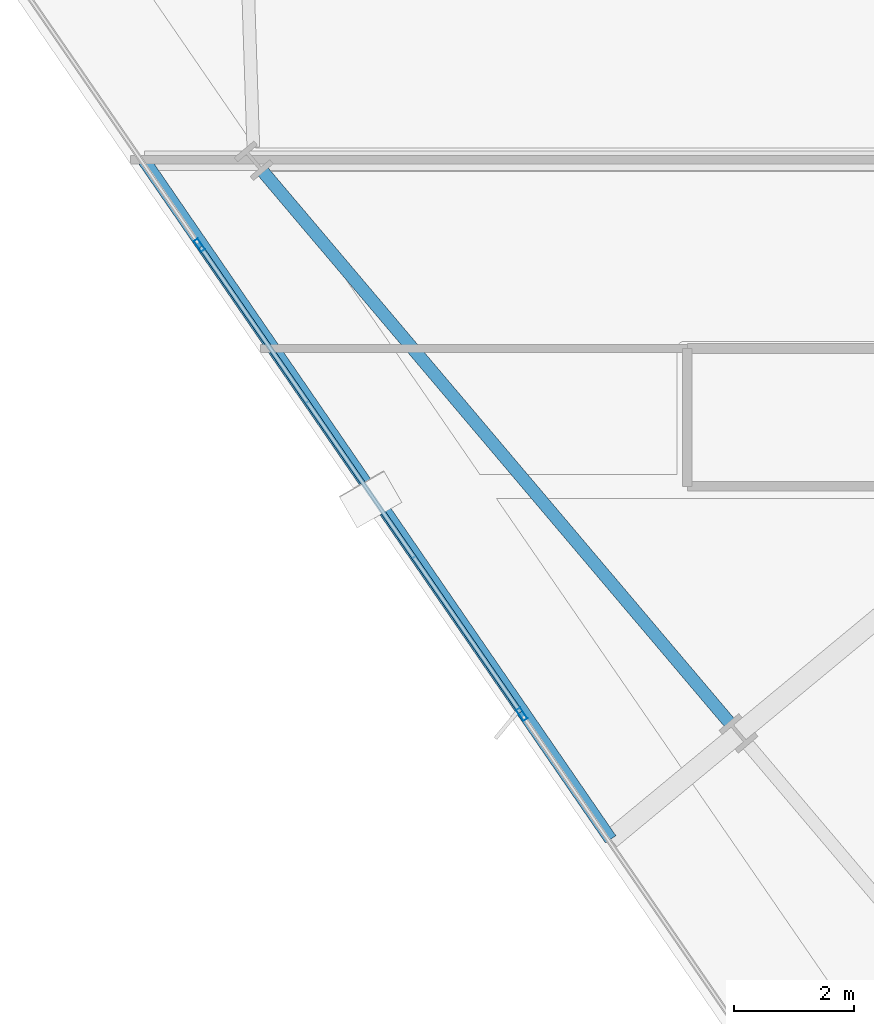
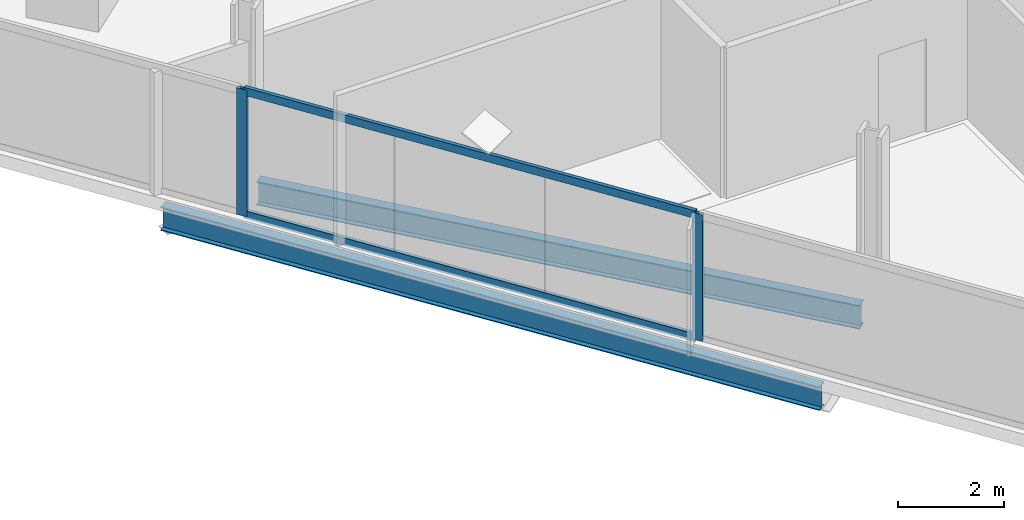
# One storey, part 4 of 29: 4 members, 2 beams, 1 element without a shape of its own.
"""IFC4 building model written with IfcOpenShell, lengths in metres."""

from ifc_helpers import new_model, si_unit, direction, frame, origin, origin_2d, place, context, subcontext, project, spatial, hollow_rectangle, i_section, extrude, material, material_profile, profile_set, type_object, element, aggregate, save


model = new_model("IFC4")

# Units and contexts
model_context = context("Model", 3, precision=1e-05, world=origin(), true_north=direction((0.0, 1.0)))
body_context = subcontext(model_context, "Body", "Model", "MODEL_VIEW")
ifc_project = project(units=[si_unit("LENGTHUNIT", "METRE"), si_unit("AREAUNIT", "SQUARE_METRE"), si_unit("VOLUMEUNIT", "CUBIC_METRE"), si_unit("PLANEANGLEUNIT", "RADIAN"), si_unit("MASSUNIT", "GRAM", prefix="KILO")], contexts=[model_context])

# Site, building, storey
site_placement = place(None, origin())
site = spatial("IfcSite", under=ifc_project, at=site_placement, CompositionType="ELEMENT")
building_placement = place(site_placement, origin())
building = spatial("IfcBuilding", under=site, at=building_placement, Name="Haldenkirk Collegiate Tower", CompositionType="ELEMENT")
storey_placement = place(building_placement, frame((0.0, 0.0, 144.449951171875)))
storey = spatial("IfcBuildingStorey", under=building, at=storey_placement, Name="L35", CompositionType="ELEMENT", Elevation=144.449951171875)

# Beams
ifc_material_1 = material(Name="Steel ASTM A992 Grade 50", Category="steel")
ifc_material_profile_1 = material_profile(ifc_material_1, i_section(OverallWidth=0.2119140625, OverallDepth=0.5439453125, WebThickness=0.01318359375, FlangeThickness=0.021240234375, at=origin_2d()), Name="W21X83")
ifc_profile_set_1 = profile_set([ifc_material_profile_1], Name="Steel ASTM A992 Grade 50")
beam_type = type_object("IfcBeamType", Name="BM-SPANDREL-W21X83", PredefinedType="SPANDREL", material=ifc_profile_set_1)
beam_1_placement = place(storey_placement, frame((11.111328125, 20.80859375, -0.56201171875), z_axis=(0.646126367676, -0.763230448157, 0.0), x_axis=(0.763230448157, 0.646126367676, 0.0)))
element("IfcBeam", 1, at=beam_1_placement, inside=storey, type_object=beam_type, Name="L35 perimeter spandrel beam 14", PredefinedType="SPANDREL", context=body_context, shape_type="SweptSolid", body=[
    extrude(i_section(OverallWidth=0.2119140625, OverallDepth=0.5439453125, WebThickness=0.01318359375, FlangeThickness=0.021240234375, at=origin_2d()), origin(), (0.0, 0.0, 1.0), 12.06494140625),
])
beam_2_placement = place(storey_placement, frame((9.136962890625, 20.9833984375, -0.56201171875), z_axis=(0.566399874308, -0.824130561491, 0.0), x_axis=(0.824130561491, 0.566399874308, 0.0)))
element("IfcBeam", 2, at=beam_2_placement, inside=storey, type_object=beam_type, Name="L35 outer facade edge beam 4", PredefinedType="SPANDREL", context=body_context, shape_type="SweptSolid", body=[
    extrude(i_section(OverallWidth=0.2119140625, OverallDepth=0.5439453125, WebThickness=0.01318359375, FlangeThickness=0.021240234375, at=origin_2d()), origin(), (0.0, 0.0, 1.0), 13.7412109375),
])

# Curtain wall, members
ifc_material_2 = material(Name="Anodised architectural bronze aluminium", Category="aluminium")
curtain_wall_type = type_object("IfcCurtainWallType", Name="CW-SYS1-CONVEX-LOW", PredefinedType="USERDEFINED", material=ifc_material_2)
curtain_wall_placement = place(storey_placement, origin())
curtain_wall = element("IfcCurtainWall", 3, at=curtain_wall_placement, inside=storey, type_object=curtain_wall_type, Name="L35 Lower tower convex bronze-framed unitised curtain wall", ObjectType="UNITISED CURTAIN WALL", PredefinedType="USERDEFINED")
ifc_material_profile_2 = material_profile(ifc_material_2, hollow_rectangle(XDim=0.080078125, YDim=0.219970703125, WallThickness=0.0048828125, at=origin_2d()), Name="CW-MUL-1A")
ifc_profile_set_2 = profile_set([ifc_material_profile_2], Name="Anodised architectural bronze aluminium")
member_type_1 = type_object("IfcMemberType", Name="CW-MUL-1A", PredefinedType="MULLION", material=ifc_profile_set_2)
member_1_placement = place(storey_placement, frame((15.43701171875, 11.74609375, 0.0), z_axis=(0.0, 0.0, 1.0), x_axis=(-0.8241287566, -0.566402500476, 0.0)))
member_1 = element("IfcMember", 4, at=member_1_placement, type_object=member_type_1, Name="CW-1A mullion 3", PredefinedType="MULLION", context=body_context, shape_type="SweptSolid", body=[
    extrude(hollow_rectangle(XDim=0.080078125, YDim=0.219970703125, WallThickness=0.0048828125, at=origin_2d()), origin(), (0.0, 0.0, 1.0), 2.9111328125),
])
member_2_placement = place(storey_placement, frame((10.05615234375, 19.575439453125, 0.0), z_axis=(0.0, 0.0, 1.0), x_axis=(-0.8241287566, -0.566402500476, 0.0)))
member_2 = element("IfcMember", 5, at=member_2_placement, type_object=member_type_1, Name="CW-1A mullion 4", PredefinedType="MULLION", context=body_context, shape_type="SweptSolid", body=[
    extrude(hollow_rectangle(XDim=0.080078125, YDim=0.219970703125, WallThickness=0.0048828125, at=origin_2d()), origin(), (0.0, 0.0, 1.0), 2.9111328125),
])
ifc_material_profile_3 = material_profile(ifc_material_2, hollow_rectangle(XDim=0.080078125, YDim=0.179931640625, WallThickness=0.0048828125, at=origin_2d()), Name="CW-TRN-1A")
ifc_profile_set_3 = profile_set([ifc_material_profile_3], Name="Anodised architectural bronze aluminium")
member_type_2 = type_object("IfcMemberType", Name="CW-TRN-1A", PredefinedType="USERDEFINED", material=ifc_profile_set_3)
member_3_placement = place(storey_placement, frame((15.414306640625, 11.779052734375, 0.0400390625), z_axis=(-0.566391323992, 0.824136437798, 0.0), x_axis=(-0.824136437798, -0.566391323992, 0.0)))
member_3 = element("IfcMember", 6, at=member_3_placement, type_object=member_type_2, Name="CW-1A transom 3.1", ObjectType="TRANSOM", PredefinedType="USERDEFINED", context=body_context, shape_type="SweptSolid", body=[
    extrude(hollow_rectangle(XDim=0.080078125, YDim=0.179931640625, WallThickness=0.0048828125, at=origin_2d()), origin(), (0.0, 0.0, 1.0), 9.420166015625),
])
member_4_placement = place(storey_placement, frame((15.414306640625, 11.779052734375, 2.87109375), z_axis=(-0.566391323992, 0.824136437798, 0.0), x_axis=(-0.824136437798, -0.566391323992, 0.0)))
member_4 = element("IfcMember", 7, at=member_4_placement, type_object=member_type_2, Name="CW-1A transom 3.2", ObjectType="TRANSOM", PredefinedType="USERDEFINED", context=body_context, shape_type="SweptSolid", body=[
    extrude(hollow_rectangle(XDim=0.080078125, YDim=0.179931640625, WallThickness=0.0048828125, at=origin_2d()), origin(), (0.0, 0.0, 1.0), 9.420166015625),
])
aggregate(curtain_wall, [member_1, member_2, member_3, member_4])

save(model, "model.ifc")
